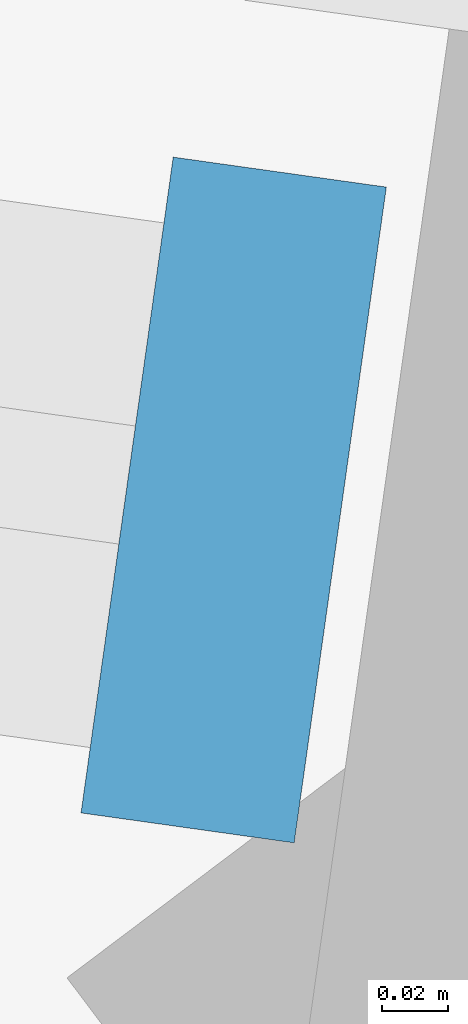
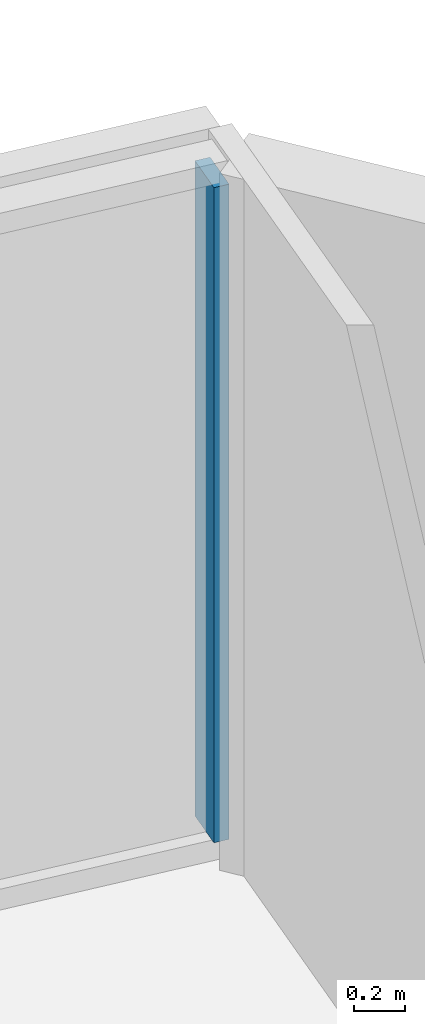
# One storey, part 13 of 38: 1 member, 1 element without a shape of its own.
"""IFC4 building model written with IfcOpenShell, lengths in metres."""

from ifc_helpers import new_model, si_unit, direction, frame, origin, origin_2d, place, context, subcontext, project, spatial, rectangle, extrude, material, material_profile, profile_set, type_object, element, aggregate, save


model = new_model("IFC4")

# Units and contexts
model_context = context("Model", 3, precision=1e-05, world=origin(), true_north=direction((0.0, 1.0)))
body_context = subcontext(model_context, "Body", "Model", "MODEL_VIEW")
ifc_project = project(units=[si_unit("LENGTHUNIT", "METRE"), si_unit("AREAUNIT", "SQUARE_METRE"), si_unit("VOLUMEUNIT", "CUBIC_METRE"), si_unit("PLANEANGLEUNIT", "RADIAN"), si_unit("MASSUNIT", "GRAM", prefix="KILO")], contexts=[model_context])

# Site, building, storey
site_placement = place(None, origin())
site = spatial("IfcSite", under=ifc_project, at=site_placement, CompositionType="ELEMENT")
building_placement = place(site_placement, origin())
building = spatial("IfcBuilding", under=site, at=building_placement, Name="Mirante Cascada Hotel Towers", CompositionType="ELEMENT")
storey_placement = place(building_placement, frame((0.0, 0.0, 184.0)))
storey = spatial("IfcBuildingStorey", under=building, at=storey_placement, Name="L43", CompositionType="ELEMENT", Elevation=184.0)

# Curtain wall, member
ifc_material_1 = material(Name="Aluminium mullion and transom frame with clear laminated glass", Category="aluminium")
curtain_wall_type = type_object("IfcCurtainWallType", Name="Ribbon curtain wall ECW1", PredefinedType="NOTDEFINED", material=ifc_material_1)
curtain_wall_placement = place(storey_placement, origin())
curtain_wall = element("IfcCurtainWall", 1, at=curtain_wall_placement, inside=storey, type_object=curtain_wall_type, Name="Front ribbon wall T1 L43", PredefinedType="NOTDEFINED")
ifc_material_2 = material(Name="Anodised aluminium extrusion", Category="aluminium")
ifc_material_profile = material_profile(ifc_material_2, rectangle(XDim=0.2, YDim=0.065, at=origin_2d()), Name="ECW1 MULLION 65x200")
ifc_profile_set = profile_set([ifc_material_profile], Name="Anodised aluminium extrusion")
member_type = type_object("IfcMemberType", Name="ECW1 mullion 65x200", PredefinedType="MULLION", material=ifc_profile_set)
member_placement = place(storey_placement, frame((-30.718, 17.1362, 0.1), z_axis=(0.0, 0.0, 1.0), x_axis=(0.1391731, 0.9902681, 0.0)))
member = element("IfcMember", 2, at=member_placement, type_object=member_type, Name="ECW1 mullion 11", PredefinedType="MULLION", context=body_context, shape_type="SweptSolid", body=[
    extrude(rectangle(XDim=0.2, YDim=0.065, at=origin_2d()), origin(), (0.0, 0.0, 1.0), 3.15),
])
aggregate(curtain_wall, [member])

save(model, "model.ifc")
